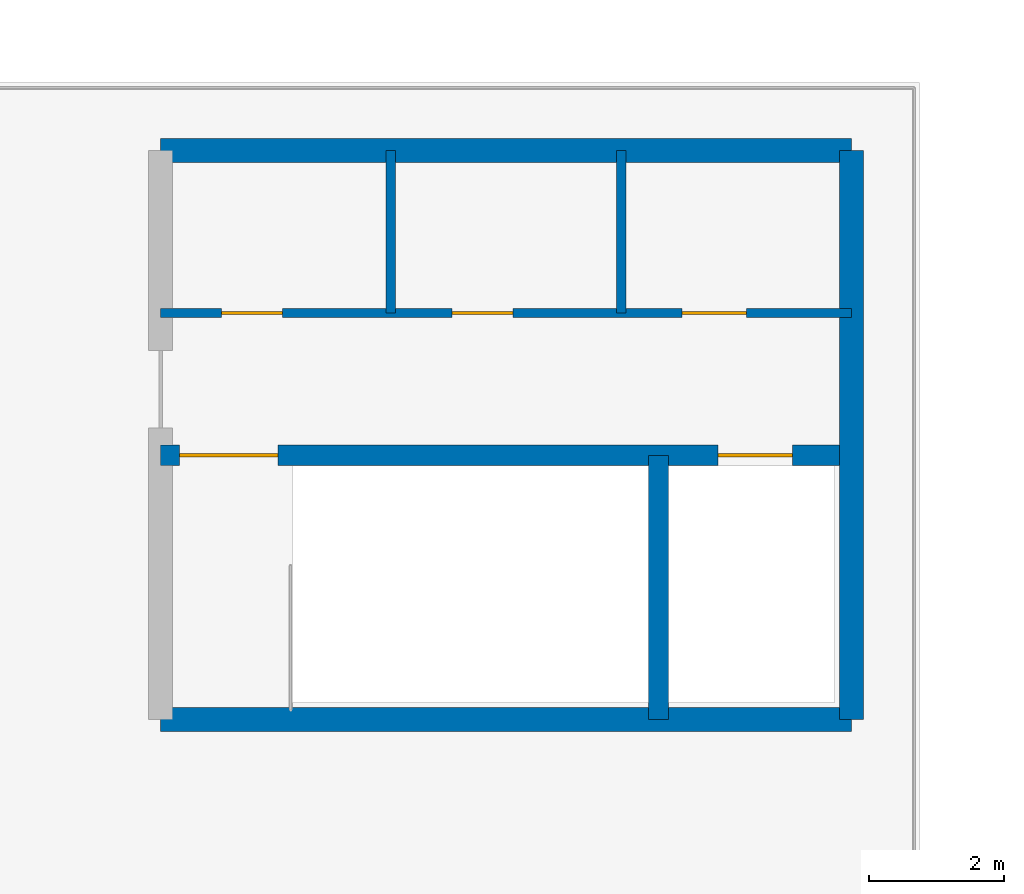
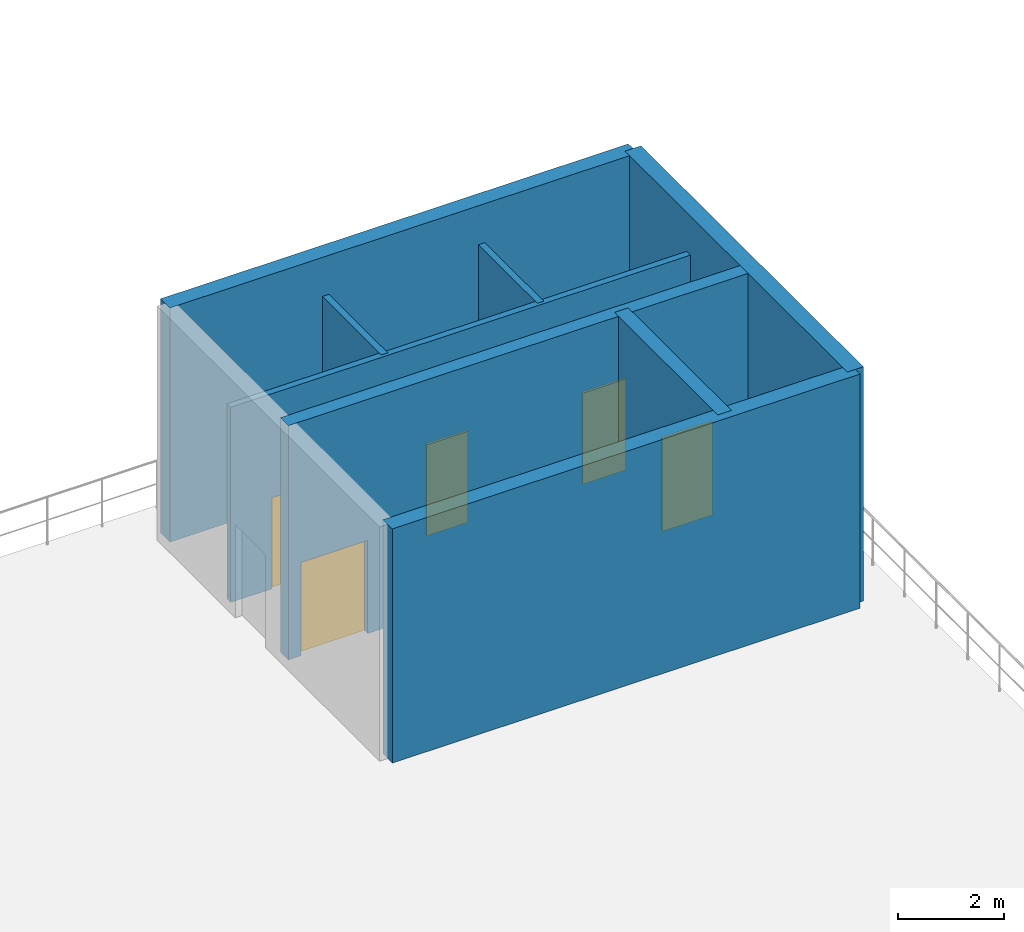
# One storey, part 85 of 97: 8 walls, 5 doors, 5 openings.
"""IFC4 building model written with IfcOpenShell, lengths in metres."""

from ifc_helpers import new_model, si_unit, derived_unit, direction, frame, frame_2d, origin, place, context, subcontext, project, spatial, rectangle, extrude, material, layer, layer_set, type_object, element, fill, save


model = new_model("IFC4")

# Units and contexts
model_context = context("Model", 3, precision=1e-05, world=origin(), true_north=direction((0.0, 1.0)))
body_context = subcontext(model_context, "Body", "Model", "MODEL_VIEW")
ifc_project = project(units=[si_unit("LENGTHUNIT", "METRE"), si_unit("AREAUNIT", "SQUARE_METRE"), si_unit("VOLUMEUNIT", "CUBIC_METRE"), si_unit("PLANEANGLEUNIT", "RADIAN"), si_unit("MASSUNIT", "GRAM", prefix="KILO"), derived_unit("THERMALTRANSMITTANCEUNIT", [(si_unit("POWERUNIT", "WATT"), 1), (si_unit("LENGTHUNIT", "METRE"), -2), (si_unit("THERMODYNAMICTEMPERATUREUNIT", "KELVIN"), -1)])], contexts=[model_context])

# Site, building, storey
site_placement = place(None, origin())
site = spatial("IfcSite", under=ifc_project, at=site_placement, CompositionType="ELEMENT")
building_placement = place(site_placement, origin())
building = spatial("IfcBuilding", under=site, at=building_placement, Name="Almenara Railside Exhibition Hall", CompositionType="ELEMENT")
storey_placement = place(building_placement, frame((0.0, 0.0, 10.800048828125)))
storey = spatial("IfcBuildingStorey", under=building, at=storey_placement, Name="L02", CompositionType="ELEMENT", Elevation=10.800048828125)

# Walls
ifc_material_1 = material(Name="Concrete C35/45", Category="concrete")
ifc_layer_1 = layer(ifc_material_1, 0.35009765625, Name="Concrete C35/45")
ifc_layer_set_1 = layer_set([ifc_layer_1], Name="Concrete C35/45")
wall_type_1 = type_object("IfcWallType", Name="Core Coupled Shear Wall 350mm C35/45", PredefinedType="SHEAR", material=ifc_layer_set_1)
for number, where, z_axis, x_axis, name in (
    (1, (126.800048828125, 98.60009765625, 0.0), (0.0, 0.0, 1.0), (1.0, 0.0, 0.0), "Interior wall 0235"),
    (2, (137.0, 107.0, 0.0), (0.0, 0.0, 1.0), (-1.0, 0.0, 0.0), "Interior wall 0236"),
):
    element("IfcWall", number, at=place(storey_placement, frame(where, z_axis=z_axis, x_axis=x_axis)), inside=storey, type_object=wall_type_1, Name=name, PredefinedType="SHEAR", context=body_context, shape_type="SweptSolid", body=[
        extrude(rectangle(XDim=10.199951171875, YDim=0.35009765625, at=frame_2d((5.10009765625, 0.0))), origin(), (0.0, 0.0, 1.0), 5.39990234375),
    ])
wall_1_placement = place(storey_placement, frame((137.0, 98.60009765625, 0.0), z_axis=(0.0, 0.0, 1.0), x_axis=(0.0, 1.0, 0.0)))
element("IfcWall", 3, at=wall_1_placement, inside=storey, type_object=wall_type_1, Name="Interior wall 0238", PredefinedType="SHEAR", context=body_context, shape_type="SweptSolid", body=[
    extrude(rectangle(XDim=8.39990234375, YDim=0.35009765625, at=frame_2d((4.199951171875, 0.0))), origin(), (0.0, 0.0, 1.0), 5.39990234375),
])

# Wall, openings, doors
ifc_material_2 = material(Name="Moisture-resistant tiled masonry partition", Category="masonry")
ifc_layer_2 = layer(ifc_material_2, 0.139892578125, Name="Moisture-resistant tiled masonry partition")
ifc_layer_set_2 = layer_set([ifc_layer_2], Name="Moisture-resistant tiled masonry partition")
wall_type_2 = type_object("IfcWallType", Name="Sanitary Wet-Wall Partition 140mm", PredefinedType="PARTITIONING", material=ifc_layer_set_2)
wall_2_placement = place(storey_placement, frame((126.800048828125, 104.60009765625, 0.0), z_axis=(0.0, 0.0, 1.0), x_axis=(1.0, 0.0, 0.0)))
wall_2 = element("IfcWall", 4, at=wall_2_placement, inside=storey, type_object=wall_type_2, Name="Interior wall 0241", PredefinedType="PARTITIONING", context=body_context, shape_type="SweptSolid", body=[
    extrude(rectangle(XDim=10.199951171875, YDim=0.139892578125, at=frame_2d((5.10009765625, 0.0))), origin(), (0.0, 0.0, 1.0), 4.5),
])
opening_1_placement = place(wall_2_placement, frame((0.89990234375, 0.0, 0.0)))
opening_1 = element("IfcOpeningElement", 5, at=opening_1_placement, cuts=wall_2, Name="Opening ID-09", PredefinedType="OPENING", context=body_context, shape_type="SweptSolid", body=[
    extrude(rectangle(XDim=0.89990234375, YDim=2.10009765625, at=frame_2d((0.449951171875, 1.050048828125))), frame((0.0, 0.079833984375, 0.0), z_axis=(0.0, -1.0, 0.0), x_axis=(1.0, 0.0, 0.0)), (0.0, 0.0, 1.0), 0.159912109375),
])
opening_2_placement = place(wall_2_placement, frame((4.300048828125, 0.0, 0.0)))
opening_2 = element("IfcOpeningElement", 6, at=opening_2_placement, cuts=wall_2, Name="Opening ID-09", PredefinedType="OPENING", context=body_context, shape_type="SweptSolid", body=[
    extrude(rectangle(XDim=0.89990234375, YDim=2.10009765625, at=frame_2d((0.449951171875, 1.050048828125))), frame((0.0, 0.079833984375, 0.0), z_axis=(0.0, -1.0, 0.0), x_axis=(1.0, 0.0, 0.0)), (0.0, 0.0, 1.0), 0.159912109375),
])
opening_3_placement = place(wall_2_placement, frame((7.699951171875, 0.0, 0.0)))
opening_3 = element("IfcOpeningElement", 7, at=opening_3_placement, cuts=wall_2, Name="Opening ID-095", PredefinedType="OPENING", context=body_context, shape_type="SweptSolid", body=[
    extrude(rectangle(XDim=0.949951171875, YDim=2.10009765625, at=frame_2d((0.47509765625, 1.050048828125))), frame((0.0, 0.079833984375, 0.0), z_axis=(0.0, -1.0, 0.0), x_axis=(1.0, 0.0, 0.0)), (0.0, 0.0, 1.0), 0.159912109375),
])
ifc_material_3 = material(Name="Moisture-resistant hardwood door", Category="wood")
door_type_1 = type_object("IfcDoorType", Name="Accessible Toilet Door 950x2100", OperationType="NOTDEFINED", PredefinedType="DOOR", material=ifc_material_3)
door_1_placement = place(opening_3_placement, origin())
door_1 = element("IfcDoor", 8, at=door_1_placement, inside=storey, type_object=door_type_1, Name="Interior door ID-095-162", OperationType="SINGLE_SWING_RIGHT", OverallHeight=2.10009765625, OverallWidth=0.949951171875, PredefinedType="DOOR", context=body_context, shape_type="SweptSolid", body=[
    extrude(rectangle(XDim=0.949951171875, YDim=2.10009765625, at=frame_2d((0.47509765625, 1.050048828125))), frame((0.0, 0.02490234375, 0.0), z_axis=(0.0, -1.0, 0.0), x_axis=(1.0, 0.0, 0.0)), (0.0, 0.0, 1.0), 0.050048828125),
])
fill(opening_3, door_1)
door_type_2 = type_object("IfcDoorType", Name="Sanitary Lobby Single Door 900x2100", OperationType="NOTDEFINED", PredefinedType="DOOR", material=ifc_material_3)
door_2_placement = place(opening_1_placement, origin())
door_2 = element("IfcDoor", 9, at=door_2_placement, inside=storey, type_object=door_type_2, Name="Interior door ID-09-160", OperationType="SINGLE_SWING_RIGHT", OverallHeight=2.10009765625, OverallWidth=0.89990234375, PredefinedType="DOOR", context=body_context, shape_type="SweptSolid", body=[
    extrude(rectangle(XDim=0.89990234375, YDim=2.10009765625, at=frame_2d((0.449951171875, 1.050048828125))), frame((0.0, 0.02490234375, 0.0), z_axis=(0.0, -1.0, 0.0), x_axis=(1.0, 0.0, 0.0)), (0.0, 0.0, 1.0), 0.050048828125),
])
fill(opening_1, door_2)
door_3_placement = place(opening_2_placement, origin())
door_3 = element("IfcDoor", 10, at=door_3_placement, inside=storey, type_object=door_type_2, Name="Interior door ID-09-161", OperationType="SINGLE_SWING_LEFT", OverallHeight=2.10009765625, OverallWidth=0.89990234375, PredefinedType="DOOR", context=body_context, shape_type="SweptSolid", body=[
    extrude(rectangle(XDim=0.89990234375, YDim=2.10009765625, at=frame_2d((0.449951171875, 1.050048828125))), frame((0.0, 0.02490234375, 0.0), z_axis=(0.0, -1.0, 0.0), x_axis=(1.0, 0.0, 0.0)), (0.0, 0.0, 1.0), 0.050048828125),
])
fill(opening_2, door_3)

# Walls
for number, where, z_axis, x_axis, name in (
    (11, (130.199951171875, 104.60009765625, 0.0), (0.0, 0.0, 1.0), (0.0, 1.0, 0.0), "Interior wall 0242"),
    (12, (133.60009765625, 104.60009765625, 0.0), (0.0, 0.0, 1.0), (0.0, 1.0, 0.0), "Interior wall 0243"),
):
    element("IfcWall", number, at=place(storey_placement, frame(where, z_axis=z_axis, x_axis=x_axis)), inside=storey, type_object=wall_type_2, Name=name, PredefinedType="PARTITIONING", context=body_context, shape_type="SweptSolid", body=[
        extrude(rectangle(XDim=2.39990234375, YDim=0.139892578125, at=frame_2d((1.199951171875, 0.0))), origin(), (0.0, 0.0, 1.0), 4.5),
    ])

# Wall, openings, doors
ifc_layer_3 = layer(ifc_material_1, 0.300048828125, Name="Concrete C35/45")
ifc_layer_set_3 = layer_set([ifc_layer_3], Name="Concrete C35/45")
wall_type_3 = type_object("IfcWallType", Name="Stair and Lift Shaft Wall 300mm C35/45", PredefinedType="SHEAR", material=ifc_layer_set_3)
wall_3_placement = place(storey_placement, frame((126.800048828125, 102.5, 0.0), z_axis=(0.0, 0.0, 1.0), x_axis=(1.0, 0.0, 0.0)))
wall_3 = element("IfcWall", 13, at=wall_3_placement, inside=storey, type_object=wall_type_3, Name="Interior wall 0239", PredefinedType="SHEAR", context=body_context, shape_type="SweptSolid", body=[
    extrude(rectangle(XDim=10.199951171875, YDim=0.300048828125, at=frame_2d((5.10009765625, 0.0))), origin(), (0.0, 0.0, 1.0), 5.39990234375),
])
opening_4_placement = place(wall_3_placement, frame((0.280029296875, 0.0, 0.0)))
opening_4 = element("IfcOpeningElement", 14, at=opening_4_placement, cuts=wall_3, Name="Opening FD-145", PredefinedType="OPENING", context=body_context, shape_type="SweptSolid", body=[
    extrude(rectangle(XDim=1.449951171875, YDim=2.14990234375, at=frame_2d((0.72509765625, 1.074951171875))), frame((0.0, 0.159912109375, 0.0), z_axis=(0.0, -1.0, 0.0), x_axis=(1.0, 0.0, 0.0)), (0.0, 0.0, 1.0), 0.320068359375),
])
opening_5_placement = place(wall_3_placement, frame((8.22509765625, 0.0, 0.0)))
opening_5 = element("IfcOpeningElement", 15, at=opening_5_placement, cuts=wall_3, Name="Opening LD-11-C8", PredefinedType="OPENING", context=body_context, shape_type="SweptSolid", body=[
    extrude(rectangle(XDim=1.10009765625, YDim=2.14990234375, at=frame_2d((0.550048828125, 1.074951171875))), frame((0.0, 0.159912109375, 0.0), z_axis=(0.0, -1.0, 0.0), x_axis=(1.0, 0.0, 0.0)), (0.0, 0.0, 1.0), 0.320068359375),
])
ifc_material_4 = material(Name="Steel-framed fire-rated timber door", Category="steel")
door_type_3 = type_object("IfcDoorType", Name="Fire Escape Stair Door 1450x2150 EI60", OperationType="NOTDEFINED", PredefinedType="DOOR", material=ifc_material_4)
door_4_placement = place(opening_4_placement, origin())
door_4 = element("IfcDoor", 16, at=door_4_placement, inside=storey, type_object=door_type_3, Name="Interior door FD-145-158", OperationType="DOUBLE_DOOR_SINGLE_SWING", OverallHeight=2.14990234375, OverallWidth=1.449951171875, PredefinedType="DOOR", context=body_context, shape_type="SweptSolid", body=[
    extrude(rectangle(XDim=1.449951171875, YDim=2.14990234375, at=frame_2d((0.72509765625, 1.074951171875))), frame((0.0, 0.02490234375, 0.0), z_axis=(0.0, -1.0, 0.0), x_axis=(1.0, 0.0, 0.0)), (0.0, 0.0, 1.0), 0.050048828125),
])
fill(opening_4, door_4)
ifc_material_5 = material(Name="Brushed bronze-stainless steel sliding landing door", Category="steel")
door_type_4 = type_object("IfcDoorType", Name="Passenger Lift Sliding Landing Door 1100x2150", OperationType="DOUBLE_DOOR_SLIDING", PredefinedType="DOOR", material=ifc_material_5)
door_5_placement = place(opening_5_placement, origin())
door_5 = element("IfcDoor", 17, at=door_5_placement, inside=storey, type_object=door_type_4, Name="Interior door LD-11-C8-159", OperationType="DOUBLE_DOOR_SLIDING", OverallHeight=2.14990234375, OverallWidth=1.10009765625, PredefinedType="DOOR", context=body_context, shape_type="SweptSolid", body=[
    extrude(rectangle(XDim=1.10009765625, YDim=2.14990234375, at=frame_2d((0.550048828125, 1.074951171875))), frame((0.0, 0.02490234375, 0.0), z_axis=(0.0, -1.0, 0.0), x_axis=(1.0, 0.0, 0.0)), (0.0, 0.0, 1.0), 0.050048828125),
])
fill(opening_5, door_5)

# Wall
wall_4_placement = place(storey_placement, frame((134.14990234375, 98.60009765625, 0.0), z_axis=(0.0, 0.0, 1.0), x_axis=(0.0, 1.0, 0.0)))
element("IfcWall", 18, at=wall_4_placement, inside=storey, type_object=wall_type_3, Name="Interior wall 0240", PredefinedType="SHEAR", context=body_context, shape_type="SweptSolid", body=[
    extrude(rectangle(XDim=3.89990234375, YDim=0.300048828125, at=frame_2d((1.949951171875, 0.0))), origin(), (0.0, 0.0, 1.0), 5.39990234375),
])

save(model, "model.ifc")
